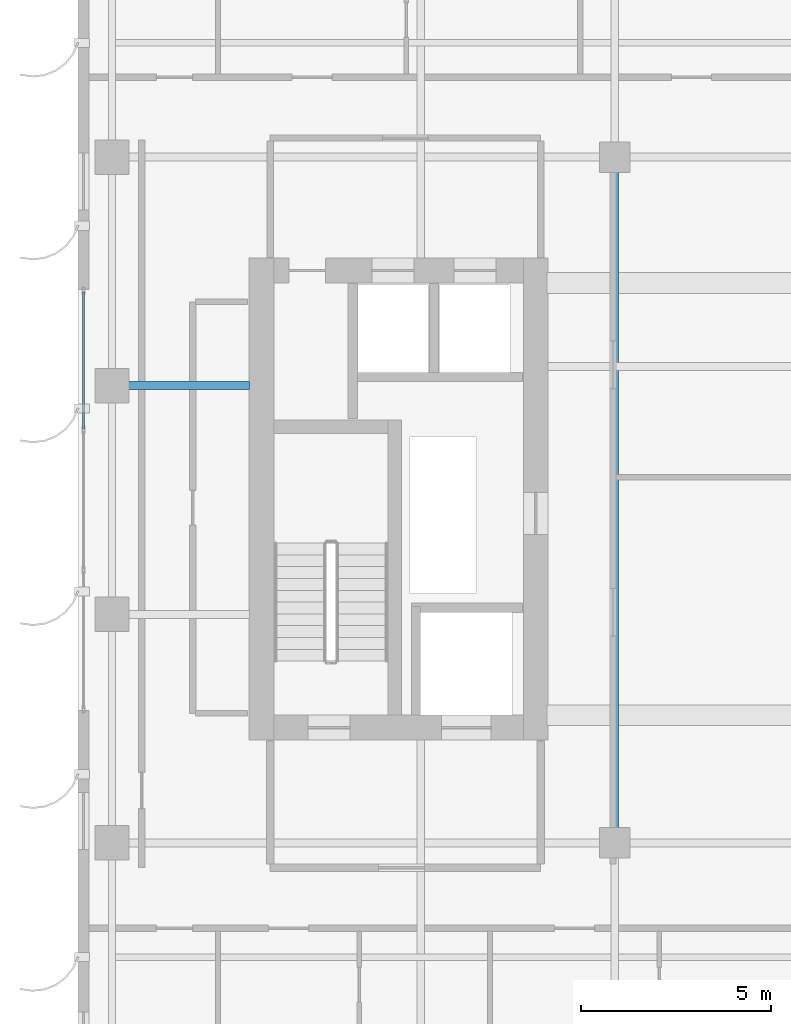
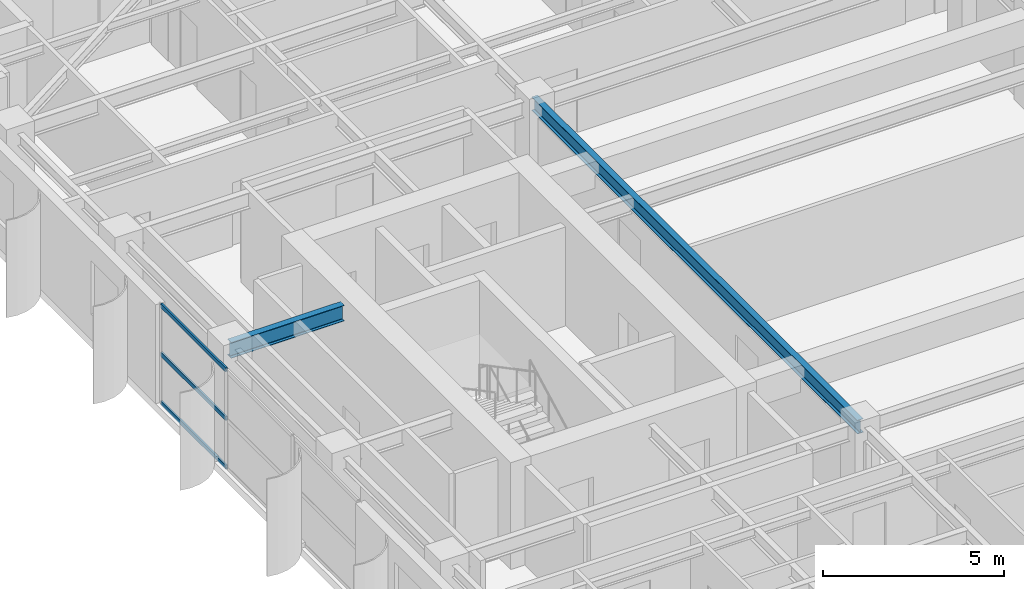
# One storey, part 6 of 22: 3 members, 2 beams, 1 element without a shape of its own.
"""IFC4 building model written with IfcOpenShell, lengths in metres."""

from ifc_helpers import new_model, si_unit, direction, frame, origin, origin_2d, place, context, subcontext, project, spatial, hollow_rectangle, i_section, extrude, source, transform, mapped, material, layer, layer_set, material_profile, profile_set, type_object, element, aggregate, save


model = new_model("IFC4")

# Units and contexts
model_context = context("Model", 3, precision=1e-05, world=origin(), true_north=direction((0.0, 1.0)))
body_context = subcontext(model_context, "Body", "Model", "MODEL_VIEW")
ifc_project = project(units=[si_unit("LENGTHUNIT", "METRE"), si_unit("AREAUNIT", "SQUARE_METRE"), si_unit("VOLUMEUNIT", "CUBIC_METRE"), si_unit("PLANEANGLEUNIT", "RADIAN"), si_unit("MASSUNIT", "GRAM", prefix="KILO")], contexts=[model_context])

# Site, building, storey
site_placement = place(None, origin())
site = spatial("IfcSite", under=ifc_project, at=site_placement, CompositionType="ELEMENT")
building_placement = place(site_placement, origin())
building = spatial("IfcBuilding", under=site, at=building_placement, Name="Khoralis Quay Care Tower", CompositionType="ELEMENT")
storey_placement = place(building_placement, frame((0.0, 0.0, 170.10009765625)))
storey = spatial("IfcBuildingStorey", under=building, at=storey_placement, Name="L44", CompositionType="ELEMENT", Elevation=170.10009765625)

# Beams
ifc_material_1 = material(Name="Steel S355", Category="steel")
ifc_material_profile_1 = material_profile(ifc_material_1, i_section(OverallWidth=0.208984375, OverallDepth=0.532958984375, WebThickness=0.01025390625, FlangeThickness=0.015625, FilletRadius=0.01611328125, at=origin_2d()), Name="Steel S355")
ifc_profile_set_1 = profile_set([ifc_material_profile_1], Name="Steel S355")
beam_type_1 = type_object("IfcBeamType", Name="BM-W530X92", PredefinedType="BEAM", material=ifc_profile_set_1)
shared_shape_1 = source(origin(), body_context, "Body", "SweptSolid", [
    extrude(i_section(OverallWidth=0.208984375, OverallDepth=0.532958984375, WebThickness=0.01025390625, FlangeThickness=0.015625, FilletRadius=0.01611328125, at=origin_2d()), origin(), (0.0, 0.0, 1.0), 3.60205078125),
])
beam_1_placement = place(storey_placement, frame((3.89990234375, 24.0, 3.073486328125), z_axis=(1.0, 0.0, 0.0), x_axis=(0.0, 1.0, 0.0)))
element("IfcBeam", 1, at=beam_1_placement, inside=storey, type_object=beam_type_1, Name="BM-TGXW-L44-240", PredefinedType="BEAM", context=body_context, shape_type="MappedRepresentation", body=[
    mapped(shared_shape_1, transform((0.0, 0.0, 0.0), scale=1.0)),
])
ifc_material_profile_2 = material_profile(ifc_material_1, i_section(OverallWidth=0.19189453125, OverallDepth=0.462890625, WebThickness=0.010498046875, FlangeThickness=0.017578125, FilletRadius=0.014892578125, at=origin_2d()), Name="Steel S355")
ifc_profile_set_2 = profile_set([ifc_material_profile_2], Name="Steel S355")
beam_type_2 = type_object("IfcBeamType", Name="BM-W460X89", PredefinedType="BEAM", material=ifc_profile_set_2)
shared_shape_2 = source(origin(), body_context, "Body", "SweptSolid", [
    extrude(i_section(OverallWidth=0.19189453125, OverallDepth=0.462890625, WebThickness=0.010498046875, FlangeThickness=0.017578125, FilletRadius=0.014892578125, at=origin_2d()), origin(), (0.0, 0.0, 1.0), 18.0),
])
beam_2_placement = place(storey_placement, frame((17.10009765625, 12.0, 3.1083984375), z_axis=(0.0, 1.0, 0.0), x_axis=(-1.0, 0.0, 0.0)))
element("IfcBeam", 2, at=beam_2_placement, inside=storey, type_object=beam_type_2, Name="BM-TGSW-L44", PredefinedType="BEAM", context=body_context, shape_type="MappedRepresentation", body=[
    mapped(shared_shape_2, transform((0.0, 0.0, 0.0), scale=1.0)),
])

# Curtain wall, members
ifc_material_2 = material(Name="Pale anodised aluminium", Category="aluminium")
ifc_layer = layer(ifc_material_2, 0.159912109375)
ifc_layer_set = layer_set([ifc_layer], Name="Pale anodised aluminium")
curtain_wall_type = type_object("IfcCurtainWallType", Name="CW-SYS-Z3", PredefinedType="NOTDEFINED", material=ifc_layer_set)
curtain_wall_placement = place(storey_placement, origin())
curtain_wall = element("IfcCurtainWall", 3, at=curtain_wall_placement, inside=storey, type_object=curtain_wall_type, Name="L44 Unitised Curtain Wall CW-L44-P1-E15", PredefinedType="NOTDEFINED")
ifc_material_profile_3 = material_profile(ifc_material_2, hollow_rectangle(XDim=0.06005859375, YDim=0.139892578125, WallThickness=0.00390625, at=origin_2d()), Name="Pale anodised aluminium")
ifc_profile_set_3 = profile_set([ifc_material_profile_3], Name="Pale anodised aluminium")
member_type = type_object("IfcMemberType", Name="CW-TRN-140", PredefinedType="USERDEFINED", material=ifc_profile_set_3)
shared_shape_3 = source(origin(), body_context, "Body", "SweptSolid", [
    extrude(hollow_rectangle(XDim=0.06005859375, YDim=0.139892578125, WallThickness=0.00390625, at=origin_2d()), origin(), (0.0, 0.0, 1.0), 3.58984375),
])
member_1_placement = place(storey_placement, frame((3.14990234375, 26.4599609375, 0.02978515625), z_axis=(0.0, -1.0, 0.0), x_axis=(1.0, 0.0, 0.0)))
member_1 = element("IfcMember", 4, at=member_1_placement, type_object=member_type, Name="CW3 transom 1.1", ObjectType="TRANSOM", PredefinedType="USERDEFINED", context=body_context, shape_type="MappedRepresentation", body=[
    mapped(shared_shape_3, transform((0.0, 0.0, 0.0), scale=1.0)),
])
member_2_placement = place(storey_placement, frame((3.14990234375, 26.4599609375, 1.669921875), z_axis=(0.0, -1.0, 0.0), x_axis=(1.0, 0.0, 0.0)))
member_2 = element("IfcMember", 5, at=member_2_placement, type_object=member_type, Name="CW3 transom 1.2", ObjectType="TRANSOM", PredefinedType="USERDEFINED", context=body_context, shape_type="MappedRepresentation", body=[
    mapped(shared_shape_3, transform((0.0, 0.0, 0.0), scale=1.0)),
])
member_3_placement = place(storey_placement, frame((3.14990234375, 26.4599609375, 3.309814453125), z_axis=(0.0, -1.0, 0.0), x_axis=(1.0, 0.0, 0.0)))
member_3 = element("IfcMember", 6, at=member_3_placement, type_object=member_type, Name="CW3 transom 1.3", ObjectType="TRANSOM", PredefinedType="USERDEFINED", context=body_context, shape_type="MappedRepresentation", body=[
    mapped(shared_shape_3, transform((0.0, 0.0, 0.0), scale=1.0)),
])
aggregate(curtain_wall, [member_1, member_2, member_3])

save(model, "model.ifc")
